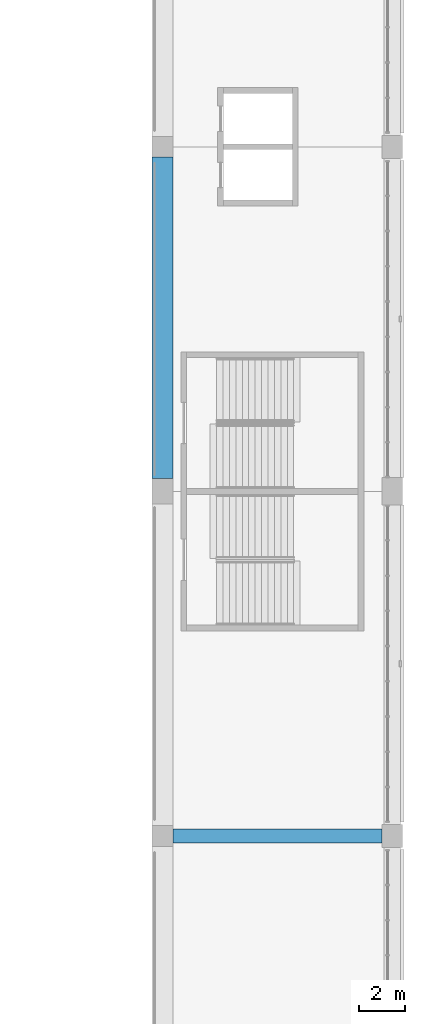
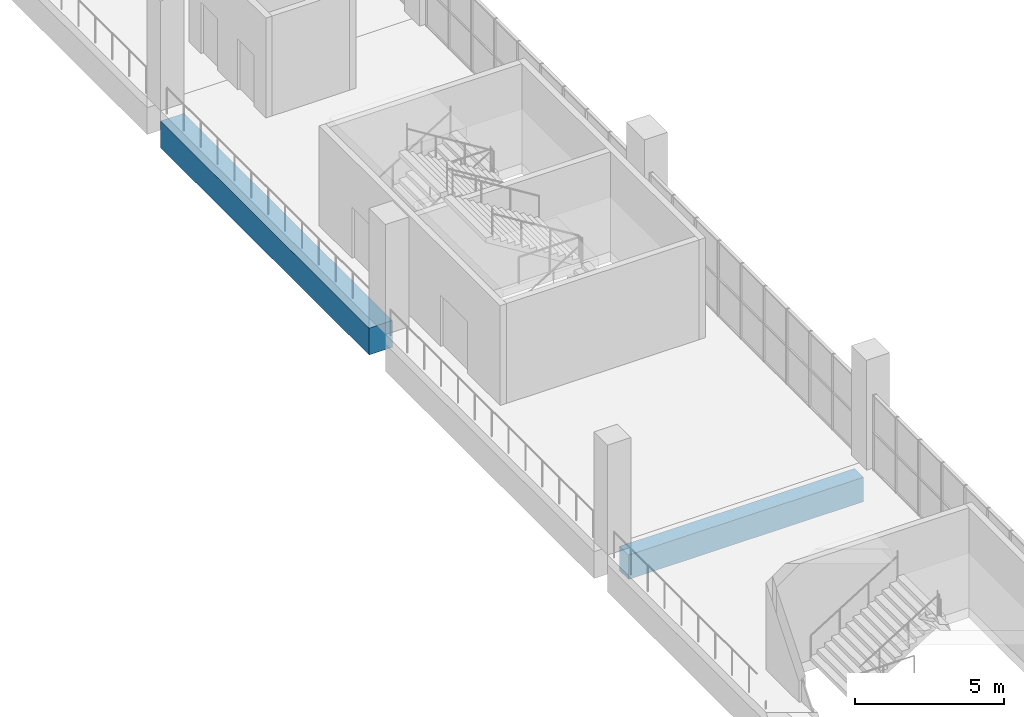
# One storey, part 22 of 177: 2 beams.
"""IFC4 building model written with IfcOpenShell, lengths in metres."""

from ifc_helpers import new_model, si_unit, direction, frame, origin, origin_2d, place, context, subcontext, project, spatial, rectangle, extrude, material, material_profile, profile_set, type_object, element, save


model = new_model("IFC4")

# Units and contexts
model_context = context("Model", 3, precision=1e-05, world=origin(), true_north=direction((0.0, 1.0)))
body_context = subcontext(model_context, "Body", "Model", "MODEL_VIEW")
ifc_project = project(units=[si_unit("LENGTHUNIT", "METRE"), si_unit("AREAUNIT", "SQUARE_METRE"), si_unit("VOLUMEUNIT", "CUBIC_METRE"), si_unit("PLANEANGLEUNIT", "RADIAN"), si_unit("MASSUNIT", "GRAM", prefix="KILO")], contexts=[model_context])

# Site, building, storey
site_placement = place(None, origin())
site = spatial("IfcSite", under=ifc_project, at=site_placement, CompositionType="ELEMENT")
building_placement = place(site_placement, origin())
building = spatial("IfcBuilding", under=site, at=building_placement, Name="Ogive Plaza Stadium", CompositionType="ELEMENT")
storey_placement = place(building_placement, frame((0.0, 0.0, 18.0)))
storey = spatial("IfcBuildingStorey", under=building, at=storey_placement, Name="L04", CompositionType="ELEMENT", Elevation=18.0)

# Beams
ifc_material_1 = material(Name="Concrete C40/50", Category="concrete")
ifc_material_profile_1 = material_profile(ifc_material_1, rectangle(XDim=0.60009765625, YDim=1.0, at=origin_2d()), Name="RC 600x1000")
ifc_profile_set_1 = profile_set([ifc_material_profile_1], Name="Concrete C40/50")
beam_type_1 = type_object("IfcBeamType", Name="RC radial beam 600x1000", PredefinedType="BEAM", material=ifc_profile_set_1)
beam_1_placement = place(storey_placement, frame((74.449951171875, -37.5, -0.909912109375), z_axis=(1.0, 0.0, 0.0), x_axis=(0.0, 1.0, 0.0)))
element("IfcBeam", 1, at=beam_1_placement, inside=storey, type_object=beam_type_1, Name="Radial beam L04 R07 F4F5", PredefinedType="BEAM", context=body_context, shape_type="SweptSolid", body=[
    extrude(rectangle(XDim=0.60009765625, YDim=1.0, at=origin_2d()), origin(), (0.0, 0.0, 1.0), 9.10009765625),
])
ifc_material_2 = material(Name="Concrete C40/50", Category="concrete")
ifc_material_profile_2 = material_profile(ifc_material_2, rectangle(XDim=0.89990234375, YDim=1.10009765625, at=origin_2d()), Name="RC 900x1100")
ifc_profile_set_2 = profile_set([ifc_material_profile_2], Name="Concrete C40/50")
beam_type_2 = type_object("IfcBeamType", Name="RC ring beam 900x1100", PredefinedType="BEAM", material=ifc_profile_set_2)
beam_2_placement = place(storey_placement, frame((74.0, -7.949951171875, -0.9599609375), z_axis=(0.0, -1.0, 0.0), x_axis=(1.0, 0.0, 0.0)))
element("IfcBeam", 2, at=beam_2_placement, inside=storey, type_object=beam_type_2, Name="Ring beam F4 L04 B05", PredefinedType="BEAM", context=body_context, shape_type="SweptSolid", body=[
    extrude(rectangle(XDim=0.89990234375, YDim=1.10009765625, at=origin_2d()), origin(), (0.0, 0.0, 1.0), 14.0),
])

save(model, "model.ifc")
